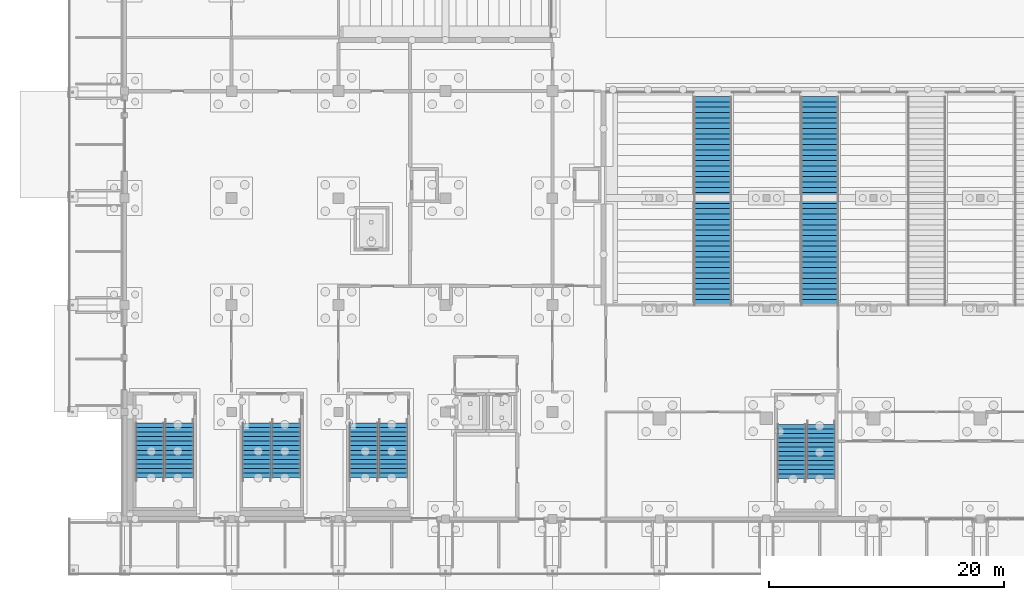
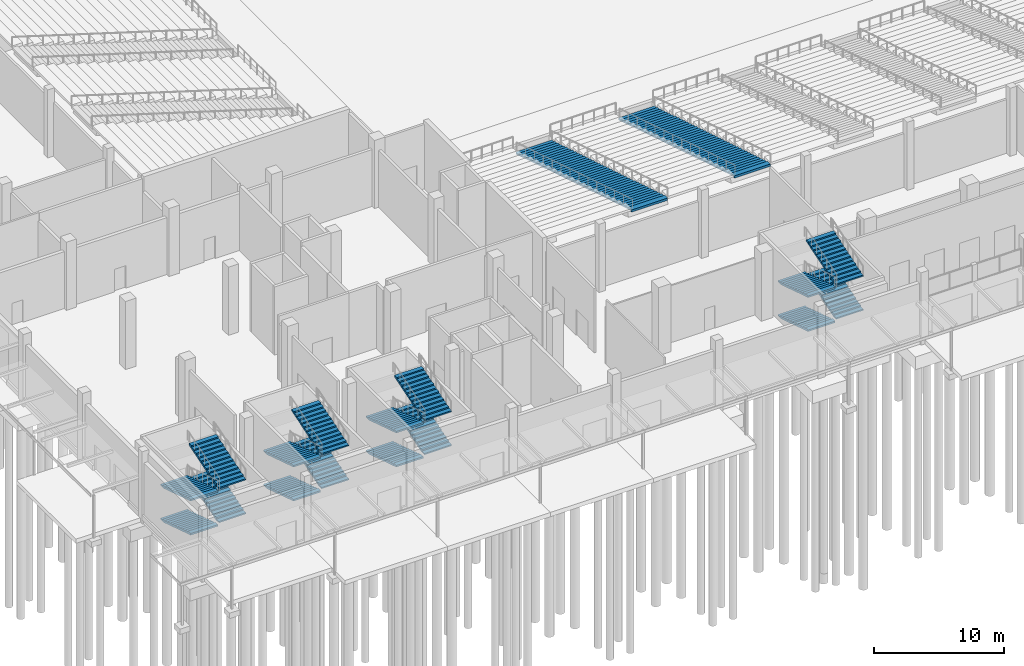
# One storey, part 88 of 129: 18 stair flights, 6 elements without a shape of their own.
"""IFC4 building model written with IfcOpenShell, lengths in metres."""

from ifc_helpers import new_model, si_unit, direction, frame, origin, place, context, subcontext, project, spatial, polyline, outline, extrude, material, type_object, element, aggregate, save


model = new_model("IFC4")

# Units and contexts
model_context = context("Model", 3, precision=1e-05, world=origin(), true_north=direction((0.0, 1.0)))
body_context = subcontext(model_context, "Body", "Model", "MODEL_VIEW")
ifc_project = project(units=[si_unit("LENGTHUNIT", "METRE"), si_unit("AREAUNIT", "SQUARE_METRE"), si_unit("VOLUMEUNIT", "CUBIC_METRE"), si_unit("PLANEANGLEUNIT", "RADIAN"), si_unit("MASSUNIT", "GRAM", prefix="KILO")], contexts=[model_context])

# Site, building, storey
site_placement = place(None, origin())
site = spatial("IfcSite", under=ifc_project, at=site_placement, CompositionType="ELEMENT")
building_placement = place(site_placement, origin())
building = spatial("IfcBuilding", under=site, at=building_placement, Name="Shirokan Park Arena", CompositionType="ELEMENT")
storey_placement = place(building_placement, origin())
storey = spatial("IfcBuildingStorey", under=building, at=storey_placement, Name="L00", CompositionType="ELEMENT", Elevation=0.0)

# Stair, stair flights
ifc_material = material(Name="Concrete C30 precast", Category="concrete")
stair_type_1 = type_object("IfcStairType", Name="Stair 52 risers 122 x 385 2400 wide", PredefinedType="DOUBLE_RETURN_STAIR", material=ifc_material)
stair_1_placement = place(storey_placement, origin())
stair_1 = element("IfcStair", 1, at=stair_1_placement, inside=storey, type_object=stair_type_1, Name="Exit Stair 1.A L00 to L01", PredefinedType="DOUBLE_RETURN_STAIR")
stair_flight_type_1 = type_object("IfcStairFlightType", Name="Stair flight 13 risers 122 x 385 2400 wide", PredefinedType="STRAIGHT", material=ifc_material)
stair_flight_1_placement = place(storey_placement, frame((2.14990234375, 8.14990234375, 0.0), z_axis=(0.0, 0.0, 1.0), x_axis=(0.0, -1.0, 0.0)))
stair_flight_1 = element("IfcStairFlight", 2, at=stair_flight_1_placement, type_object=stair_flight_type_1, Name="ST01.1 flight 1", NumberOfRisers=13, NumberOfTreads=12, PredefinedType="STRAIGHT", RiserHeight=0.1225, TreadLength=0.385, context=body_context, shape_type="SweptSolid", body=[
    extrude(outline(polyline([(0.0, 0.0), (0.0, 0.12255859375), (0.385009765625, 0.12255859375), (0.385009765625, 0.2451171875), (0.77001953125, 0.2451171875), (0.77001953125, 0.367431640625), (1.155029296875, 0.367431640625), (1.155029296875, 0.489990234375), (1.5400390625, 0.489990234375), (1.5400390625, 0.612548828125), (1.925048828125, 0.612548828125), (1.925048828125, 0.735107421875), (2.31005859375, 0.735107421875), (2.31005859375, 0.857421875), (2.695068359375, 0.857421875), (2.695068359375, 0.97998046875), (3.080078125, 0.97998046875), (3.080078125, 1.1025390625), (3.465087890625, 1.1025390625), (3.465087890625, 1.22509765625), (3.85009765625, 1.22509765625), (3.85009765625, 1.347412109375), (4.235107421875, 1.347412109375), (4.235107421875, 1.469970703125), (4.6201171875, 1.469970703125), (4.6201171875, 1.592529296875), (4.6201171875, 1.312744140625), (0.494384765625, 0.0), (0.0, 0.0)])), frame((0.0, 1.199951171875, 0.0), z_axis=(0.0, -1.0, 0.0), x_axis=(1.0, 0.0, 0.0)), (0.0, 0.0, 1.0), 2.39990234375),
])
stair_flight_2_placement = place(storey_placement, frame((4.64990234375, 3.530029296875, 1.592529296875), z_axis=(0.0, 0.0, 1.0), x_axis=(0.0, 1.0, 0.0)))
stair_flight_2 = element("IfcStairFlight", 3, at=stair_flight_2_placement, type_object=stair_flight_type_1, Name="ST01.1 flight 2", NumberOfRisers=13, NumberOfTreads=12, PredefinedType="STRAIGHT", RiserHeight=0.1225, TreadLength=0.385, context=body_context, shape_type="SweptSolid", body=[
    extrude(outline(polyline([(0.0, 0.0), (0.0, 0.12255859375), (0.385009765625, 0.12255859375), (0.385009765625, 0.2451171875), (0.77001953125, 0.2451171875), (0.77001953125, 0.367431640625), (1.155029296875, 0.367431640625), (1.155029296875, 0.489990234375), (1.5400390625, 0.489990234375), (1.5400390625, 0.612548828125), (1.925048828125, 0.612548828125), (1.925048828125, 0.735107421875), (2.31005859375, 0.735107421875), (2.31005859375, 0.857421875), (2.695068359375, 0.857421875), (2.695068359375, 0.97998046875), (3.080078125, 0.97998046875), (3.080078125, 1.1025390625), (3.465087890625, 1.1025390625), (3.465087890625, 1.22509765625), (3.85009765625, 1.22509765625), (3.85009765625, 1.347412109375), (4.235107421875, 1.347412109375), (4.235107421875, 1.469970703125), (4.6201171875, 1.469970703125), (4.6201171875, 1.592529296875), (4.6201171875, 1.312744140625), (0.494384765625, 0.0), (0.0, 0.0)])), frame((0.0, 1.199951171875, 0.0), z_axis=(0.0, -1.0, 0.0), x_axis=(1.0, 0.0, 0.0)), (0.0, 0.0, 1.0), 2.39990234375),
])
stair_flight_3_placement = place(storey_placement, frame((2.14990234375, 8.14990234375, 3.18505859375), z_axis=(0.0, 0.0, 1.0), x_axis=(0.0, -1.0, 0.0)))
stair_flight_3 = element("IfcStairFlight", 4, at=stair_flight_3_placement, type_object=stair_flight_type_1, Name="ST01.1 flight 3", NumberOfRisers=13, NumberOfTreads=12, PredefinedType="STRAIGHT", RiserHeight=0.1225, TreadLength=0.385, context=body_context, shape_type="SweptSolid", body=[
    extrude(outline(polyline([(0.0, 0.0), (0.0, 0.12255859375), (0.385009765625, 0.12255859375), (0.385009765625, 0.2451171875), (0.77001953125, 0.2451171875), (0.77001953125, 0.367431640625), (1.155029296875, 0.367431640625), (1.155029296875, 0.489990234375), (1.5400390625, 0.489990234375), (1.5400390625, 0.612548828125), (1.925048828125, 0.612548828125), (1.925048828125, 0.735107421875), (2.31005859375, 0.735107421875), (2.31005859375, 0.857421875), (2.695068359375, 0.857421875), (2.695068359375, 0.97998046875), (3.080078125, 0.97998046875), (3.080078125, 1.1025390625), (3.465087890625, 1.1025390625), (3.465087890625, 1.22509765625), (3.85009765625, 1.22509765625), (3.85009765625, 1.347412109375), (4.235107421875, 1.347412109375), (4.235107421875, 1.469970703125), (4.6201171875, 1.469970703125), (4.6201171875, 1.592529296875), (4.6201171875, 1.312744140625), (0.494384765625, 0.0), (0.0, 0.0)])), frame((0.0, 1.199951171875, 0.0), z_axis=(0.0, -1.0, 0.0), x_axis=(1.0, 0.0, 0.0)), (0.0, 0.0, 1.0), 2.39990234375),
])
stair_flight_4_placement = place(storey_placement, frame((4.64990234375, 3.530029296875, 4.777587890625), z_axis=(0.0, 0.0, 1.0), x_axis=(0.0, 1.0, 0.0)))
stair_flight_4 = element("IfcStairFlight", 5, at=stair_flight_4_placement, type_object=stair_flight_type_1, Name="ST01.1 flight 4", NumberOfRisers=13, NumberOfTreads=12, PredefinedType="STRAIGHT", RiserHeight=0.1225, TreadLength=0.385, context=body_context, shape_type="SweptSolid", body=[
    extrude(outline(polyline([(0.0, 0.0), (0.0, 0.12255859375), (0.385009765625, 0.12255859375), (0.385009765625, 0.2451171875), (0.77001953125, 0.2451171875), (0.77001953125, 0.367431640625), (1.155029296875, 0.367431640625), (1.155029296875, 0.489990234375), (1.5400390625, 0.489990234375), (1.5400390625, 0.612548828125), (1.925048828125, 0.612548828125), (1.925048828125, 0.735107421875), (2.31005859375, 0.735107421875), (2.31005859375, 0.857421875), (2.695068359375, 0.857421875), (2.695068359375, 0.97998046875), (3.080078125, 0.97998046875), (3.080078125, 1.1025390625), (3.465087890625, 1.1025390625), (3.465087890625, 1.22509765625), (3.85009765625, 1.22509765625), (3.85009765625, 1.347412109375), (4.235107421875, 1.347412109375), (4.235107421875, 1.469970703125), (4.6201171875, 1.469970703125), (4.6201171875, 1.592529296875), (4.6201171875, 1.312744140625), (0.494384765625, 0.0), (0.0, 0.0)])), frame((0.0, 1.199951171875, 0.0), z_axis=(0.0, -1.0, 0.0), x_axis=(1.0, 0.0, 0.0)), (0.0, 0.0, 1.0), 2.39990234375),
])
aggregate(stair_1, [stair_flight_1, stair_flight_2, stair_flight_3, stair_flight_4])

stair_2_placement = place(storey_placement, origin())
stair_2 = element("IfcStair", 6, at=stair_2_placement, inside=storey, type_object=stair_type_1, Name="Exit Stair 1.B L00 to L01", PredefinedType="DOUBLE_RETURN_STAIR")
stair_flight_5_placement = place(storey_placement, frame((11.25, 8.14990234375, 0.0), z_axis=(0.0, 0.0, 1.0), x_axis=(0.0, -1.0, 0.0)))
stair_flight_5 = element("IfcStairFlight", 7, at=stair_flight_5_placement, type_object=stair_flight_type_1, Name="ST02.1 flight 1", NumberOfRisers=13, NumberOfTreads=12, PredefinedType="STRAIGHT", RiserHeight=0.1225, TreadLength=0.385, context=body_context, shape_type="SweptSolid", body=[
    extrude(outline(polyline([(0.0, 0.0), (0.0, 0.12255859375), (0.385009765625, 0.12255859375), (0.385009765625, 0.2451171875), (0.77001953125, 0.2451171875), (0.77001953125, 0.367431640625), (1.155029296875, 0.367431640625), (1.155029296875, 0.489990234375), (1.5400390625, 0.489990234375), (1.5400390625, 0.612548828125), (1.925048828125, 0.612548828125), (1.925048828125, 0.735107421875), (2.31005859375, 0.735107421875), (2.31005859375, 0.857421875), (2.695068359375, 0.857421875), (2.695068359375, 0.97998046875), (3.080078125, 0.97998046875), (3.080078125, 1.1025390625), (3.465087890625, 1.1025390625), (3.465087890625, 1.22509765625), (3.85009765625, 1.22509765625), (3.85009765625, 1.347412109375), (4.235107421875, 1.347412109375), (4.235107421875, 1.469970703125), (4.6201171875, 1.469970703125), (4.6201171875, 1.592529296875), (4.6201171875, 1.312744140625), (0.494384765625, 0.0), (0.0, 0.0)])), frame((0.0, 1.199951171875, 0.0), z_axis=(0.0, -1.0, 0.0), x_axis=(1.0, 0.0, 0.0)), (0.0, 0.0, 1.0), 2.39990234375),
])
stair_flight_6_placement = place(storey_placement, frame((13.75, 3.530029296875, 1.592529296875), z_axis=(0.0, 0.0, 1.0), x_axis=(0.0, 1.0, 0.0)))
stair_flight_6 = element("IfcStairFlight", 8, at=stair_flight_6_placement, type_object=stair_flight_type_1, Name="ST02.1 flight 2", NumberOfRisers=13, NumberOfTreads=12, PredefinedType="STRAIGHT", RiserHeight=0.1225, TreadLength=0.385, context=body_context, shape_type="SweptSolid", body=[
    extrude(outline(polyline([(0.0, 0.0), (0.0, 0.12255859375), (0.385009765625, 0.12255859375), (0.385009765625, 0.2451171875), (0.77001953125, 0.2451171875), (0.77001953125, 0.367431640625), (1.155029296875, 0.367431640625), (1.155029296875, 0.489990234375), (1.5400390625, 0.489990234375), (1.5400390625, 0.612548828125), (1.925048828125, 0.612548828125), (1.925048828125, 0.735107421875), (2.31005859375, 0.735107421875), (2.31005859375, 0.857421875), (2.695068359375, 0.857421875), (2.695068359375, 0.97998046875), (3.080078125, 0.97998046875), (3.080078125, 1.1025390625), (3.465087890625, 1.1025390625), (3.465087890625, 1.22509765625), (3.85009765625, 1.22509765625), (3.85009765625, 1.347412109375), (4.235107421875, 1.347412109375), (4.235107421875, 1.469970703125), (4.6201171875, 1.469970703125), (4.6201171875, 1.592529296875), (4.6201171875, 1.312744140625), (0.494384765625, 0.0), (0.0, 0.0)])), frame((0.0, 1.199951171875, 0.0), z_axis=(0.0, -1.0, 0.0), x_axis=(1.0, 0.0, 0.0)), (0.0, 0.0, 1.0), 2.39990234375),
])
stair_flight_7_placement = place(storey_placement, frame((11.25, 8.14990234375, 3.18505859375), z_axis=(0.0, 0.0, 1.0), x_axis=(0.0, -1.0, 0.0)))
stair_flight_7 = element("IfcStairFlight", 9, at=stair_flight_7_placement, type_object=stair_flight_type_1, Name="ST02.1 flight 3", NumberOfRisers=13, NumberOfTreads=12, PredefinedType="STRAIGHT", RiserHeight=0.1225, TreadLength=0.385, context=body_context, shape_type="SweptSolid", body=[
    extrude(outline(polyline([(0.0, 0.0), (0.0, 0.12255859375), (0.385009765625, 0.12255859375), (0.385009765625, 0.2451171875), (0.77001953125, 0.2451171875), (0.77001953125, 0.367431640625), (1.155029296875, 0.367431640625), (1.155029296875, 0.489990234375), (1.5400390625, 0.489990234375), (1.5400390625, 0.612548828125), (1.925048828125, 0.612548828125), (1.925048828125, 0.735107421875), (2.31005859375, 0.735107421875), (2.31005859375, 0.857421875), (2.695068359375, 0.857421875), (2.695068359375, 0.97998046875), (3.080078125, 0.97998046875), (3.080078125, 1.1025390625), (3.465087890625, 1.1025390625), (3.465087890625, 1.22509765625), (3.85009765625, 1.22509765625), (3.85009765625, 1.347412109375), (4.235107421875, 1.347412109375), (4.235107421875, 1.469970703125), (4.6201171875, 1.469970703125), (4.6201171875, 1.592529296875), (4.6201171875, 1.312744140625), (0.494384765625, 0.0), (0.0, 0.0)])), frame((0.0, 1.199951171875, 0.0), z_axis=(0.0, -1.0, 0.0), x_axis=(1.0, 0.0, 0.0)), (0.0, 0.0, 1.0), 2.39990234375),
])
stair_flight_8_placement = place(storey_placement, frame((13.75, 3.530029296875, 4.777587890625), z_axis=(0.0, 0.0, 1.0), x_axis=(0.0, 1.0, 0.0)))
stair_flight_8 = element("IfcStairFlight", 10, at=stair_flight_8_placement, type_object=stair_flight_type_1, Name="ST02.1 flight 4", NumberOfRisers=13, NumberOfTreads=12, PredefinedType="STRAIGHT", RiserHeight=0.1225, TreadLength=0.385, context=body_context, shape_type="SweptSolid", body=[
    extrude(outline(polyline([(0.0, 0.0), (0.0, 0.12255859375), (0.385009765625, 0.12255859375), (0.385009765625, 0.2451171875), (0.77001953125, 0.2451171875), (0.77001953125, 0.367431640625), (1.155029296875, 0.367431640625), (1.155029296875, 0.489990234375), (1.5400390625, 0.489990234375), (1.5400390625, 0.612548828125), (1.925048828125, 0.612548828125), (1.925048828125, 0.735107421875), (2.31005859375, 0.735107421875), (2.31005859375, 0.857421875), (2.695068359375, 0.857421875), (2.695068359375, 0.97998046875), (3.080078125, 0.97998046875), (3.080078125, 1.1025390625), (3.465087890625, 1.1025390625), (3.465087890625, 1.22509765625), (3.85009765625, 1.22509765625), (3.85009765625, 1.347412109375), (4.235107421875, 1.347412109375), (4.235107421875, 1.469970703125), (4.6201171875, 1.469970703125), (4.6201171875, 1.592529296875), (4.6201171875, 1.312744140625), (0.494384765625, 0.0), (0.0, 0.0)])), frame((0.0, 1.199951171875, 0.0), z_axis=(0.0, -1.0, 0.0), x_axis=(1.0, 0.0, 0.0)), (0.0, 0.0, 1.0), 2.39990234375),
])
aggregate(stair_2, [stair_flight_5, stair_flight_6, stair_flight_7, stair_flight_8])

stair_3_placement = place(storey_placement, origin())
stair_3 = element("IfcStair", 11, at=stair_3_placement, inside=storey, type_object=stair_type_1, Name="Exit Stair 1.C L00 to L01", PredefinedType="DOUBLE_RETURN_STAIR")
stair_flight_9_placement = place(storey_placement, frame((20.35009765625, 8.14990234375, 0.0), z_axis=(0.0, 0.0, 1.0), x_axis=(0.0, -1.0, 0.0)))
stair_flight_9 = element("IfcStairFlight", 12, at=stair_flight_9_placement, type_object=stair_flight_type_1, Name="ST03.1 flight 1", NumberOfRisers=13, NumberOfTreads=12, PredefinedType="STRAIGHT", RiserHeight=0.1225, TreadLength=0.385, context=body_context, shape_type="SweptSolid", body=[
    extrude(outline(polyline([(0.0, 0.0), (0.0, 0.12255859375), (0.385009765625, 0.12255859375), (0.385009765625, 0.2451171875), (0.77001953125, 0.2451171875), (0.77001953125, 0.367431640625), (1.155029296875, 0.367431640625), (1.155029296875, 0.489990234375), (1.5400390625, 0.489990234375), (1.5400390625, 0.612548828125), (1.925048828125, 0.612548828125), (1.925048828125, 0.735107421875), (2.31005859375, 0.735107421875), (2.31005859375, 0.857421875), (2.695068359375, 0.857421875), (2.695068359375, 0.97998046875), (3.080078125, 0.97998046875), (3.080078125, 1.1025390625), (3.465087890625, 1.1025390625), (3.465087890625, 1.22509765625), (3.85009765625, 1.22509765625), (3.85009765625, 1.347412109375), (4.235107421875, 1.347412109375), (4.235107421875, 1.469970703125), (4.6201171875, 1.469970703125), (4.6201171875, 1.592529296875), (4.6201171875, 1.312744140625), (0.494384765625, 0.0), (0.0, 0.0)])), frame((0.0, 1.199951171875, 0.0), z_axis=(0.0, -1.0, 0.0), x_axis=(1.0, 0.0, 0.0)), (0.0, 0.0, 1.0), 2.39990234375),
])
stair_flight_10_placement = place(storey_placement, frame((22.85009765625, 3.530029296875, 1.592529296875), z_axis=(0.0, 0.0, 1.0), x_axis=(0.0, 1.0, 0.0)))
stair_flight_10 = element("IfcStairFlight", 13, at=stair_flight_10_placement, type_object=stair_flight_type_1, Name="ST03.1 flight 2", NumberOfRisers=13, NumberOfTreads=12, PredefinedType="STRAIGHT", RiserHeight=0.1225, TreadLength=0.385, context=body_context, shape_type="SweptSolid", body=[
    extrude(outline(polyline([(0.0, 0.0), (0.0, 0.12255859375), (0.385009765625, 0.12255859375), (0.385009765625, 0.2451171875), (0.77001953125, 0.2451171875), (0.77001953125, 0.367431640625), (1.155029296875, 0.367431640625), (1.155029296875, 0.489990234375), (1.5400390625, 0.489990234375), (1.5400390625, 0.612548828125), (1.925048828125, 0.612548828125), (1.925048828125, 0.735107421875), (2.31005859375, 0.735107421875), (2.31005859375, 0.857421875), (2.695068359375, 0.857421875), (2.695068359375, 0.97998046875), (3.080078125, 0.97998046875), (3.080078125, 1.1025390625), (3.465087890625, 1.1025390625), (3.465087890625, 1.22509765625), (3.85009765625, 1.22509765625), (3.85009765625, 1.347412109375), (4.235107421875, 1.347412109375), (4.235107421875, 1.469970703125), (4.6201171875, 1.469970703125), (4.6201171875, 1.592529296875), (4.6201171875, 1.312744140625), (0.494384765625, 0.0), (0.0, 0.0)])), frame((0.0, 1.199951171875, 0.0), z_axis=(0.0, -1.0, 0.0), x_axis=(1.0, 0.0, 0.0)), (0.0, 0.0, 1.0), 2.39990234375),
])
stair_flight_11_placement = place(storey_placement, frame((20.35009765625, 8.14990234375, 3.18505859375), z_axis=(0.0, 0.0, 1.0), x_axis=(0.0, -1.0, 0.0)))
stair_flight_11 = element("IfcStairFlight", 14, at=stair_flight_11_placement, type_object=stair_flight_type_1, Name="ST03.1 flight 3", NumberOfRisers=13, NumberOfTreads=12, PredefinedType="STRAIGHT", RiserHeight=0.1225, TreadLength=0.385, context=body_context, shape_type="SweptSolid", body=[
    extrude(outline(polyline([(0.0, 0.0), (0.0, 0.12255859375), (0.385009765625, 0.12255859375), (0.385009765625, 0.2451171875), (0.77001953125, 0.2451171875), (0.77001953125, 0.367431640625), (1.155029296875, 0.367431640625), (1.155029296875, 0.489990234375), (1.5400390625, 0.489990234375), (1.5400390625, 0.612548828125), (1.925048828125, 0.612548828125), (1.925048828125, 0.735107421875), (2.31005859375, 0.735107421875), (2.31005859375, 0.857421875), (2.695068359375, 0.857421875), (2.695068359375, 0.97998046875), (3.080078125, 0.97998046875), (3.080078125, 1.1025390625), (3.465087890625, 1.1025390625), (3.465087890625, 1.22509765625), (3.85009765625, 1.22509765625), (3.85009765625, 1.347412109375), (4.235107421875, 1.347412109375), (4.235107421875, 1.469970703125), (4.6201171875, 1.469970703125), (4.6201171875, 1.592529296875), (4.6201171875, 1.312744140625), (0.494384765625, 0.0), (0.0, 0.0)])), frame((0.0, 1.199951171875, 0.0), z_axis=(0.0, -1.0, 0.0), x_axis=(1.0, 0.0, 0.0)), (0.0, 0.0, 1.0), 2.39990234375),
])
stair_flight_12_placement = place(storey_placement, frame((22.85009765625, 3.530029296875, 4.777587890625), z_axis=(0.0, 0.0, 1.0), x_axis=(0.0, 1.0, 0.0)))
stair_flight_12 = element("IfcStairFlight", 15, at=stair_flight_12_placement, type_object=stair_flight_type_1, Name="ST03.1 flight 4", NumberOfRisers=13, NumberOfTreads=12, PredefinedType="STRAIGHT", RiserHeight=0.1225, TreadLength=0.385, context=body_context, shape_type="SweptSolid", body=[
    extrude(outline(polyline([(0.0, 0.0), (0.0, 0.12255859375), (0.385009765625, 0.12255859375), (0.385009765625, 0.2451171875), (0.77001953125, 0.2451171875), (0.77001953125, 0.367431640625), (1.155029296875, 0.367431640625), (1.155029296875, 0.489990234375), (1.5400390625, 0.489990234375), (1.5400390625, 0.612548828125), (1.925048828125, 0.612548828125), (1.925048828125, 0.735107421875), (2.31005859375, 0.735107421875), (2.31005859375, 0.857421875), (2.695068359375, 0.857421875), (2.695068359375, 0.97998046875), (3.080078125, 0.97998046875), (3.080078125, 1.1025390625), (3.465087890625, 1.1025390625), (3.465087890625, 1.22509765625), (3.85009765625, 1.22509765625), (3.85009765625, 1.347412109375), (4.235107421875, 1.347412109375), (4.235107421875, 1.469970703125), (4.6201171875, 1.469970703125), (4.6201171875, 1.592529296875), (4.6201171875, 1.312744140625), (0.494384765625, 0.0), (0.0, 0.0)])), frame((0.0, 1.199951171875, 0.0), z_axis=(0.0, -1.0, 0.0), x_axis=(1.0, 0.0, 0.0)), (0.0, 0.0, 1.0), 2.39990234375),
])
aggregate(stair_3, [stair_flight_9, stair_flight_10, stair_flight_11, stair_flight_12])

stair_4_placement = place(storey_placement, origin())
stair_4 = element("IfcStair", 16, at=stair_4_placement, inside=storey, type_object=stair_type_1, Name="Entrance Stair E1.1 L00 to L01", PredefinedType="DOUBLE_RETURN_STAIR")
stair_flight_13_placement = place(storey_placement, frame((56.75, 8.050048828125, 0.0), z_axis=(0.0, 0.0, 1.0), x_axis=(0.0, -1.0, 0.0)))
stair_flight_13 = element("IfcStairFlight", 17, at=stair_flight_13_placement, type_object=stair_flight_type_1, Name="ST24.1 flight 1", NumberOfRisers=13, NumberOfTreads=12, PredefinedType="STRAIGHT", RiserHeight=0.1225, TreadLength=0.385, context=body_context, shape_type="SweptSolid", body=[
    extrude(outline(polyline([(0.0, 0.0), (0.0, 0.12255859375), (0.385009765625, 0.12255859375), (0.385009765625, 0.2451171875), (0.77001953125, 0.2451171875), (0.77001953125, 0.367431640625), (1.155029296875, 0.367431640625), (1.155029296875, 0.489990234375), (1.5400390625, 0.489990234375), (1.5400390625, 0.612548828125), (1.925048828125, 0.612548828125), (1.925048828125, 0.735107421875), (2.31005859375, 0.735107421875), (2.31005859375, 0.857421875), (2.695068359375, 0.857421875), (2.695068359375, 0.97998046875), (3.080078125, 0.97998046875), (3.080078125, 1.1025390625), (3.465087890625, 1.1025390625), (3.465087890625, 1.22509765625), (3.85009765625, 1.22509765625), (3.85009765625, 1.347412109375), (4.235107421875, 1.347412109375), (4.235107421875, 1.469970703125), (4.6201171875, 1.469970703125), (4.6201171875, 1.592529296875), (4.6201171875, 1.312744140625), (0.494384765625, 0.0), (0.0, 0.0)])), frame((0.0, 1.199951171875, 0.0), z_axis=(0.0, -1.0, 0.0), x_axis=(1.0, 0.0, 0.0)), (0.0, 0.0, 1.0), 2.39990234375),
])
stair_flight_14_placement = place(storey_placement, frame((59.25, 3.429931640625, 1.592529296875), z_axis=(0.0, 0.0, 1.0), x_axis=(0.0, 1.0, 0.0)))
stair_flight_14 = element("IfcStairFlight", 18, at=stair_flight_14_placement, type_object=stair_flight_type_1, Name="ST24.1 flight 2", NumberOfRisers=13, NumberOfTreads=12, PredefinedType="STRAIGHT", RiserHeight=0.1225, TreadLength=0.385, context=body_context, shape_type="SweptSolid", body=[
    extrude(outline(polyline([(0.0, 0.0), (0.0, 0.12255859375), (0.385009765625, 0.12255859375), (0.385009765625, 0.2451171875), (0.77001953125, 0.2451171875), (0.77001953125, 0.367431640625), (1.155029296875, 0.367431640625), (1.155029296875, 0.489990234375), (1.5400390625, 0.489990234375), (1.5400390625, 0.612548828125), (1.925048828125, 0.612548828125), (1.925048828125, 0.735107421875), (2.31005859375, 0.735107421875), (2.31005859375, 0.857421875), (2.695068359375, 0.857421875), (2.695068359375, 0.97998046875), (3.080078125, 0.97998046875), (3.080078125, 1.1025390625), (3.465087890625, 1.1025390625), (3.465087890625, 1.22509765625), (3.85009765625, 1.22509765625), (3.85009765625, 1.347412109375), (4.235107421875, 1.347412109375), (4.235107421875, 1.469970703125), (4.6201171875, 1.469970703125), (4.6201171875, 1.592529296875), (4.6201171875, 1.312744140625), (0.494384765625, 0.0), (0.0, 0.0)])), frame((0.0, 1.199951171875, 0.0), z_axis=(0.0, -1.0, 0.0), x_axis=(1.0, 0.0, 0.0)), (0.0, 0.0, 1.0), 2.39990234375),
])
stair_flight_15_placement = place(storey_placement, frame((56.75, 8.050048828125, 3.18505859375), z_axis=(0.0, 0.0, 1.0), x_axis=(0.0, -1.0, 0.0)))
stair_flight_15 = element("IfcStairFlight", 19, at=stair_flight_15_placement, type_object=stair_flight_type_1, Name="ST24.1 flight 3", NumberOfRisers=13, NumberOfTreads=12, PredefinedType="STRAIGHT", RiserHeight=0.1225, TreadLength=0.385, context=body_context, shape_type="SweptSolid", body=[
    extrude(outline(polyline([(0.0, 0.0), (0.0, 0.12255859375), (0.385009765625, 0.12255859375), (0.385009765625, 0.2451171875), (0.77001953125, 0.2451171875), (0.77001953125, 0.367431640625), (1.155029296875, 0.367431640625), (1.155029296875, 0.489990234375), (1.5400390625, 0.489990234375), (1.5400390625, 0.612548828125), (1.925048828125, 0.612548828125), (1.925048828125, 0.735107421875), (2.31005859375, 0.735107421875), (2.31005859375, 0.857421875), (2.695068359375, 0.857421875), (2.695068359375, 0.97998046875), (3.080078125, 0.97998046875), (3.080078125, 1.1025390625), (3.465087890625, 1.1025390625), (3.465087890625, 1.22509765625), (3.85009765625, 1.22509765625), (3.85009765625, 1.347412109375), (4.235107421875, 1.347412109375), (4.235107421875, 1.469970703125), (4.6201171875, 1.469970703125), (4.6201171875, 1.592529296875), (4.6201171875, 1.312744140625), (0.494384765625, 0.0), (0.0, 0.0)])), frame((0.0, 1.199951171875, 0.0), z_axis=(0.0, -1.0, 0.0), x_axis=(1.0, 0.0, 0.0)), (0.0, 0.0, 1.0), 2.39990234375),
])
stair_flight_16_placement = place(storey_placement, frame((59.25, 3.429931640625, 4.777587890625), z_axis=(0.0, 0.0, 1.0), x_axis=(0.0, 1.0, 0.0)))
stair_flight_16 = element("IfcStairFlight", 20, at=stair_flight_16_placement, type_object=stair_flight_type_1, Name="ST24.1 flight 4", NumberOfRisers=13, NumberOfTreads=12, PredefinedType="STRAIGHT", RiserHeight=0.1225, TreadLength=0.385, context=body_context, shape_type="SweptSolid", body=[
    extrude(outline(polyline([(0.0, 0.0), (0.0, 0.12255859375), (0.385009765625, 0.12255859375), (0.385009765625, 0.2451171875), (0.77001953125, 0.2451171875), (0.77001953125, 0.367431640625), (1.155029296875, 0.367431640625), (1.155029296875, 0.489990234375), (1.5400390625, 0.489990234375), (1.5400390625, 0.612548828125), (1.925048828125, 0.612548828125), (1.925048828125, 0.735107421875), (2.31005859375, 0.735107421875), (2.31005859375, 0.857421875), (2.695068359375, 0.857421875), (2.695068359375, 0.97998046875), (3.080078125, 0.97998046875), (3.080078125, 1.1025390625), (3.465087890625, 1.1025390625), (3.465087890625, 1.22509765625), (3.85009765625, 1.22509765625), (3.85009765625, 1.347412109375), (4.235107421875, 1.347412109375), (4.235107421875, 1.469970703125), (4.6201171875, 1.469970703125), (4.6201171875, 1.592529296875), (4.6201171875, 1.312744140625), (0.494384765625, 0.0), (0.0, 0.0)])), frame((0.0, 1.199951171875, 0.0), z_axis=(0.0, -1.0, 0.0), x_axis=(1.0, 0.0, 0.0)), (0.0, 0.0, 1.0), 2.39990234375),
])
aggregate(stair_4, [stair_flight_13, stair_flight_14, stair_flight_15, stair_flight_16])

# Stair, stair flight
stair_type_2 = type_object("IfcStairType", Name="Stair 40 risers 140 x 455 3200 wide", PredefinedType="STRAIGHT_RUN_STAIR", material=ifc_material)
stair_5_placement = place(storey_placement, origin())
stair_5 = element("IfcStair", 21, at=stair_5_placement, inside=storey, type_object=stair_type_2, Name="Vomitory stair S1 lower", PredefinedType="STRAIGHT_RUN_STAIR")
stair_flight_type_2 = type_object("IfcStairFlightType", Name="Stair flight 40 risers 140 x 455 3200 wide", PredefinedType="STRAIGHT", material=ifc_material)
stair_flight_17_placement = place(storey_placement, frame((50.050048828125, 35.945068359375, 0.77001953125), z_axis=(0.0, 0.0, 1.0), x_axis=(0.0, -1.0, 0.0)))
stair_flight_17 = element("IfcStairFlight", 22, at=stair_flight_17_placement, type_object=stair_flight_type_2, Name="VS-S1L flight 1", NumberOfRisers=40, NumberOfTreads=39, PredefinedType="STRAIGHT", RiserHeight=0.14, TreadLength=0.455, context=body_context, shape_type="SweptSolid", body=[
    extrude(outline(polyline([(0.0, -0.0693359375), (0.0, 0.0), (0.0, 0.139892578125), (0.455078125, 0.139892578125), (0.455078125, 0.280029296875), (0.909912109375, 0.280029296875), (0.909912109375, 0.419921875), (1.364990234375, 0.419921875), (1.364990234375, 0.56005859375), (1.820068359375, 0.56005859375), (1.820068359375, 0.699951171875), (2.27490234375, 0.699951171875), (2.27490234375, 0.840087890625), (2.72998046875, 0.840087890625), (2.72998046875, 0.97998046875), (3.18505859375, 0.97998046875), (3.18505859375, 1.1201171875), (3.639892578125, 1.1201171875), (3.639892578125, 1.260009765625), (4.094970703125, 1.260009765625), (4.094970703125, 1.39990234375), (4.550048828125, 1.39990234375), (4.550048828125, 1.5400390625), (5.0048828125, 1.5400390625), (5.0048828125, 1.679931640625), (5.4599609375, 1.679931640625), (5.4599609375, 1.820068359375), (5.9150390625, 1.820068359375), (5.9150390625, 1.9599609375), (6.3701171875, 1.9599609375), (6.3701171875, 2.10009765625), (6.824951171875, 2.10009765625), (6.824951171875, 2.239990234375), (7.280029296875, 2.239990234375), (7.280029296875, 2.3798828125), (7.735107421875, 2.3798828125), (7.735107421875, 2.52001953125), (8.18994140625, 2.52001953125), (8.18994140625, 2.659912109375), (8.64501953125, 2.659912109375), (8.64501953125, 2.800048828125), (9.10009765625, 2.800048828125), (9.10009765625, 2.93994140625), (9.554931640625, 2.93994140625), (9.554931640625, 3.080078125), (10.010009765625, 3.080078125), (10.010009765625, 3.219970703125), (10.465087890625, 3.219970703125), (10.465087890625, 3.360107421875), (10.919921875, 3.360107421875), (10.919921875, 3.5), (11.375, 3.5), (11.375, 3.639892578125), (11.830078125, 3.639892578125), (11.830078125, 3.780029296875), (12.284912109375, 3.780029296875), (12.284912109375, 3.919921875), (12.739990234375, 3.919921875), (12.739990234375, 4.06005859375), (13.195068359375, 4.06005859375), (13.195068359375, 4.199951171875), (13.64990234375, 4.199951171875), (13.64990234375, 4.340087890625), (14.10498046875, 4.340087890625), (14.10498046875, 4.47998046875), (14.56005859375, 4.47998046875), (14.56005859375, 4.6201171875), (15.014892578125, 4.6201171875), (15.014892578125, 4.760009765625), (15.469970703125, 4.760009765625), (15.469970703125, 4.89990234375), (15.925048828125, 4.89990234375), (15.925048828125, 5.0400390625), (16.3798828125, 5.0400390625), (16.3798828125, 5.179931640625), (16.8349609375, 5.179931640625), (16.8349609375, 5.320068359375), (17.2900390625, 5.320068359375), (17.2900390625, 5.4599609375), (17.7451171875, 5.4599609375), (17.7451171875, 5.60009765625), (17.7451171875, 5.25), (17.544921875, 5.25), (17.544921875, 5.329345703125), (0.0, -0.0693359375)])), frame((0.0, 1.60009765625, 0.0), z_axis=(0.0, -1.0, 0.0), x_axis=(1.0, 0.0, 0.0)), (0.0, 0.0, 1.0), 3.199951171875),
])
aggregate(stair_5, [stair_flight_17])

stair_6_placement = place(storey_placement, origin())
stair_6 = element("IfcStair", 23, at=stair_6_placement, inside=storey, type_object=stair_type_2, Name="Vomitory stair S2 lower", PredefinedType="STRAIGHT_RUN_STAIR")
stair_flight_18_placement = place(storey_placement, frame((59.14990234375, 35.945068359375, 0.77001953125), z_axis=(0.0, 0.0, 1.0), x_axis=(0.0, -1.0, 0.0)))
stair_flight_18 = element("IfcStairFlight", 24, at=stair_flight_18_placement, type_object=stair_flight_type_2, Name="VS-S2L flight 1", NumberOfRisers=40, NumberOfTreads=39, PredefinedType="STRAIGHT", RiserHeight=0.14, TreadLength=0.455, context=body_context, shape_type="SweptSolid", body=[
    extrude(outline(polyline([(0.0, -0.0693359375), (0.0, 0.0), (0.0, 0.139892578125), (0.455078125, 0.139892578125), (0.455078125, 0.280029296875), (0.909912109375, 0.280029296875), (0.909912109375, 0.419921875), (1.364990234375, 0.419921875), (1.364990234375, 0.56005859375), (1.820068359375, 0.56005859375), (1.820068359375, 0.699951171875), (2.27490234375, 0.699951171875), (2.27490234375, 0.840087890625), (2.72998046875, 0.840087890625), (2.72998046875, 0.97998046875), (3.18505859375, 0.97998046875), (3.18505859375, 1.1201171875), (3.639892578125, 1.1201171875), (3.639892578125, 1.260009765625), (4.094970703125, 1.260009765625), (4.094970703125, 1.39990234375), (4.550048828125, 1.39990234375), (4.550048828125, 1.5400390625), (5.0048828125, 1.5400390625), (5.0048828125, 1.679931640625), (5.4599609375, 1.679931640625), (5.4599609375, 1.820068359375), (5.9150390625, 1.820068359375), (5.9150390625, 1.9599609375), (6.3701171875, 1.9599609375), (6.3701171875, 2.10009765625), (6.824951171875, 2.10009765625), (6.824951171875, 2.239990234375), (7.280029296875, 2.239990234375), (7.280029296875, 2.3798828125), (7.735107421875, 2.3798828125), (7.735107421875, 2.52001953125), (8.18994140625, 2.52001953125), (8.18994140625, 2.659912109375), (8.64501953125, 2.659912109375), (8.64501953125, 2.800048828125), (9.10009765625, 2.800048828125), (9.10009765625, 2.93994140625), (9.554931640625, 2.93994140625), (9.554931640625, 3.080078125), (10.010009765625, 3.080078125), (10.010009765625, 3.219970703125), (10.465087890625, 3.219970703125), (10.465087890625, 3.360107421875), (10.919921875, 3.360107421875), (10.919921875, 3.5), (11.375, 3.5), (11.375, 3.639892578125), (11.830078125, 3.639892578125), (11.830078125, 3.780029296875), (12.284912109375, 3.780029296875), (12.284912109375, 3.919921875), (12.739990234375, 3.919921875), (12.739990234375, 4.06005859375), (13.195068359375, 4.06005859375), (13.195068359375, 4.199951171875), (13.64990234375, 4.199951171875), (13.64990234375, 4.340087890625), (14.10498046875, 4.340087890625), (14.10498046875, 4.47998046875), (14.56005859375, 4.47998046875), (14.56005859375, 4.6201171875), (15.014892578125, 4.6201171875), (15.014892578125, 4.760009765625), (15.469970703125, 4.760009765625), (15.469970703125, 4.89990234375), (15.925048828125, 4.89990234375), (15.925048828125, 5.0400390625), (16.3798828125, 5.0400390625), (16.3798828125, 5.179931640625), (16.8349609375, 5.179931640625), (16.8349609375, 5.320068359375), (17.2900390625, 5.320068359375), (17.2900390625, 5.4599609375), (17.7451171875, 5.4599609375), (17.7451171875, 5.60009765625), (17.7451171875, 5.25), (17.544921875, 5.25), (17.544921875, 5.329345703125), (0.0, -0.0693359375)])), frame((0.0, 1.60009765625, 0.0), z_axis=(0.0, -1.0, 0.0), x_axis=(1.0, 0.0, 0.0)), (0.0, 0.0, 1.0), 3.199951171875),
])
aggregate(stair_6, [stair_flight_18])

save(model, "model.ifc")
